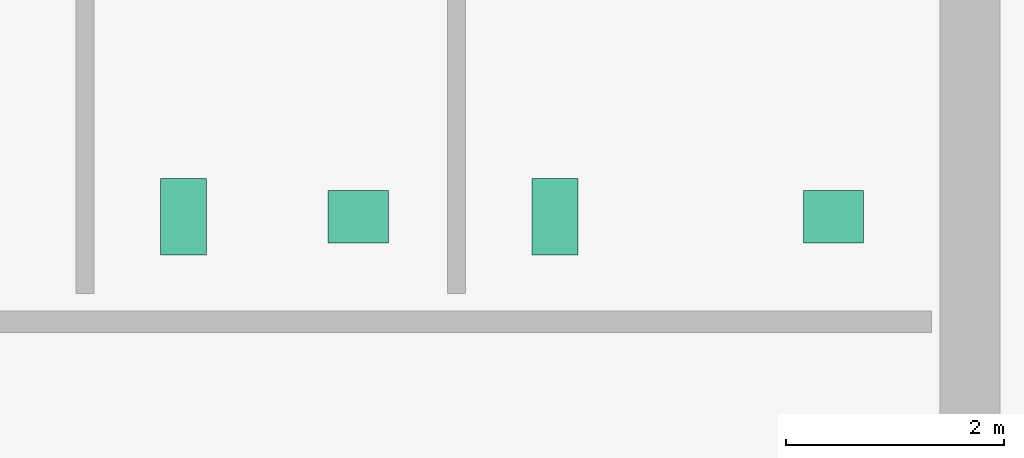
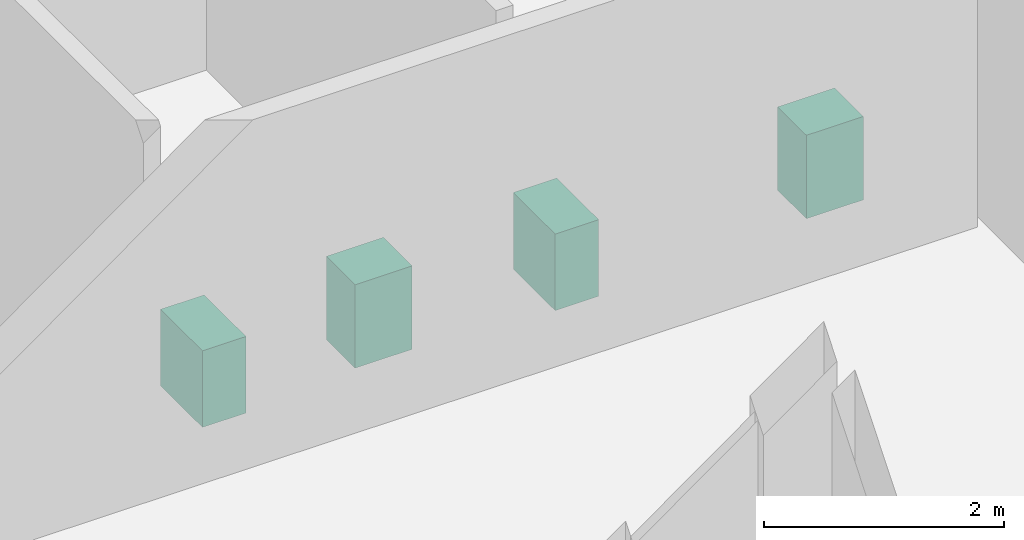
# One storey, part 10 of 10: 4 sanitary terminals.
"""IFC4 building model written with IfcOpenShell, lengths in metres."""

import ifcopenshell
import ifcopenshell.guid

model = None  # the IFC model being written
_history = None  # IfcOwnerHistory: only IFC2X3 demands one
_inside = {}  # id of a spatial element -> (the spatial element, [elements in it])
_under = {}  # id of a project, library or spatial element -> (it, [spatial elements below it])
_declared = {}  # id of a project -> (the project, [libraries it declares])
_typed = {}  # id of a type object -> (the type object, [elements of that type])
_made_of = {}  # id of a material, layer set ... -> (it, [elements and type objects made of it])


def new_model(schema):
    """Start an empty IFC model of exactly this schema.

    Asked for "IFC4X3", IfcOpenShell would pick the latest addendum, in which some entities
    have other attributes; the version numbers below select the first issue.
    IFC2X3 requires an IfcOwnerHistory on every rooted entity: one is made here for all.
    """
    global model, _history
    if schema == "IFC4X3":
        model = ifcopenshell.file(schema_version=(4, 3, 0, 0))
    else:
        model = ifcopenshell.file(schema=schema)
    _inside.clear()
    _under.clear()
    _declared.clear()
    _typed.clear()
    _made_of.clear()
    _history = None
    if model.schema == "IFC2X3":
        org = make("IfcOrganization", Name="unknown")
        user = make(
            "IfcPersonAndOrganization",
            ThePerson=make("IfcPerson", FamilyName="unknown"),
            TheOrganization=org,
        )
        app = make(
            "IfcApplication",
            ApplicationDeveloper=org,
            Version="unknown",
            ApplicationFullName="unknown",
            ApplicationIdentifier="unknown",
        )
        _history = make(
            "IfcOwnerHistory",
            OwningUser=user,
            OwningApplication=app,
            ChangeAction="ADDED",
            CreationDate=0,
        )
    return model


def make(cls, **values):
    """One entity of the class cls with the attributes given. An attribute that is None is left unset."""
    return model.create_entity(
        cls, **{name: value for name, value in values.items() if value is not None}
    )


def rooted(cls, **values):
    """An entity with a GlobalId (a new one), such as an element, a storey or a relation."""
    return make(cls, GlobalId=ifcopenshell.guid.new(), OwnerHistory=_history, **values)


def si_unit(unit_type, name, prefix=None):
    """IfcSIUnit, for example si_unit("LENGTHUNIT", "METRE", prefix="MILLI")."""
    return make("IfcSIUnit", UnitType=unit_type, Prefix=prefix, Name=name)


def assignment(units):
    """IfcUnitAssignment: the units of a project."""
    return None if units is None else make("IfcUnitAssignment", Units=units)


def point(xyz):
    """IfcCartesianPoint."""
    return None if xyz is None else make("IfcCartesianPoint", Coordinates=xyz)


def direction(xyz):
    """IfcDirection."""
    return None if xyz is None else make("IfcDirection", DirectionRatios=xyz)


def frame(location, z_axis=None, x_axis=None):
    """IfcAxis2Placement3D, a coordinate frame: its origin and axes. An axis left out is left unset."""
    return make(
        "IfcAxis2Placement3D",
        Location=point(location),
        Axis=direction(z_axis),
        RefDirection=direction(x_axis),
    )


def frame_2d(location, x_axis=None):
    """IfcAxis2Placement2D, a coordinate frame in the plane: its origin and x axis."""
    return make(
        "IfcAxis2Placement2D", Location=point(location), RefDirection=direction(x_axis)
    )


def origin():
    """The frame at (0, 0, 0) with its axes left unset."""
    return frame((0.0, 0.0, 0.0))


def origin_2d():
    """The frame at (0, 0) in the plane with its x axis left unset."""
    return frame_2d((0.0, 0.0))


def place(relative_to, where):
    """IfcLocalPlacement: puts the frame where relative to a parent placement (None: the world)."""
    return make(
        "IfcLocalPlacement", PlacementRelTo=relative_to, RelativePlacement=where
    )


def context(
    kind, dimensions, precision=None, world=None, true_north=None, identifier=None
):
    """IfcGeometricRepresentationContext, for example the 3D "Model" context."""
    return make(
        "IfcGeometricRepresentationContext",
        ContextIdentifier=identifier,
        ContextType=kind,
        CoordinateSpaceDimension=dimensions,
        Precision=precision,
        WorldCoordinateSystem=world,
        TrueNorth=true_north,
    )


def subcontext(parent, identifier, kind, view, scale=None):
    """IfcGeometricRepresentationSubContext, for example "Body" below "Model"."""
    return make(
        "IfcGeometricRepresentationSubContext",
        ContextIdentifier=identifier,
        ContextType=kind,
        ParentContext=parent,
        TargetScale=scale,
        TargetView=view,
    )


def project(units=None, contexts=None):
    """IfcProject with its units and contexts."""
    return rooted(
        "IfcProject",
        Name="project",
        RepresentationContexts=contexts,
        UnitsInContext=assignment(units),
    )


def spatial(cls, under=None, at=None, **own):
    """A site, building, storey or space (cls), placed at a placement, below another one or the project."""
    s = rooted(cls, ObjectPlacement=at, **own)
    if under is not None:
        _under.setdefault(under.id(), (under, []))[1].append(s)
    return s


def profile(cls, at=None, kind="AREA", **sizes):
    """A parametric profile (cls). Its sizes go by their IFC names, for example OverallWidth=200.0."""
    return make(cls, ProfileType=kind, Position=at, **sizes)


def rectangle(**sizes):
    """IfcRectangleProfileDef."""
    return profile("IfcRectangleProfileDef", **sizes)


def extrude(swept, where, along, depth):
    """IfcExtrudedAreaSolid: the profile swept, set in the frame where, extruded along a direction by depth."""
    return make(
        "IfcExtrudedAreaSolid",
        SweptArea=swept,
        Position=where,
        ExtrudedDirection=direction(along),
        Depth=depth,
    )


def shape(context_of_items, identifier, shape_type, items):
    """IfcShapeRepresentation: the items that make up one representation, for example the "Body"."""
    return make(
        "IfcShapeRepresentation",
        ContextOfItems=context_of_items,
        RepresentationIdentifier=identifier,
        RepresentationType=shape_type,
        Items=items,
    )


def material(Name=None, Category=None):
    """IfcMaterial."""
    return make("IfcMaterial", Name=Name, Category=Category)


def made_of(thing, what):
    """Note that an element or type object is made of a material, layer set ...; save() writes the relation."""
    if what is not None:
        _made_of.setdefault(what.id(), (what, []))[1].append(thing)
    return thing


def type_object(cls, material=None, **own):
    """A type object (cls), such as IfcWallType, which elements share."""
    return made_of(rooted(cls, **own), material)


def element(
    cls,
    number,
    at=None,
    inside=None,
    cuts=None,
    type_object=None,
    material=None,
    context=None,
    identifier="Body",
    shape_type=None,
    held_by="IfcProductDefinitionShape",
    body=None,
    shapes=None,
    **own,
):
    """One element of the class cls, such as IfcWall. Its Tag is "e" and its number.

    at: its placement. inside: the storey or other place that contains it. cuts: it is an
    opening in that element (IfcRelVoidsElement). A single representation is given by context,
    identifier, shape_type and body (its items); several are given by shapes. held_by: the class
    of the entity that holds the representations. save() writes the other relations.
    """
    e = rooted(cls, Tag="e%d" % number, ObjectPlacement=at, **own)
    if body is not None:
        shapes = [shape(context, identifier, shape_type, body)]
    if shapes is not None:
        e.Representation = make(held_by, Representations=shapes)
    if inside is not None:
        _inside.setdefault(inside.id(), (inside, []))[1].append(e)
    if cuts is not None:
        rooted(
            "IfcRelVoidsElement", RelatingBuildingElement=cuts, RelatedOpeningElement=e
        )
    if type_object is not None:
        _typed.setdefault(type_object.id(), (type_object, []))[1].append(e)
    return made_of(e, material)


def aggregate(whole, parts):
    """IfcRelAggregates: a whole, such as a stair, and the parts it consists of."""
    return rooted("IfcRelAggregates", RelatingObject=whole, RelatedObjects=parts)


def save(model, path):
    """Write the relations noted so far, then the file.

    IfcRelAggregates (storeys below a building ...), IfcRelContainedInSpatialStructure (elements
    in a storey), IfcRelDefinesByType, IfcRelAssociatesMaterial and IfcRelDeclares: one each for
    every whole, place, type object, material and project.
    """
    for whole, parts in _under.values():
        aggregate(whole, parts)
    for where, things in _inside.values():
        rooted(
            "IfcRelContainedInSpatialStructure",
            RelatedElements=things,
            RelatingStructure=where,
        )
    for kind, things in _typed.values():
        rooted("IfcRelDefinesByType", RelatedObjects=things, RelatingType=kind)
    for what, things in _made_of.values():
        rooted("IfcRelAssociatesMaterial", RelatedObjects=things, RelatingMaterial=what)
    for by, libraries in _declared.values():
        rooted("IfcRelDeclares", RelatingContext=by, RelatedDefinitions=libraries)
    model.write(path)


model = new_model("IFC4")

# Units and contexts
model_context = context("Model", 3, precision=1e-05, world=origin(), true_north=direction((0.0, 1.0)))
body_context = subcontext(model_context, "Body", "Model", "MODEL_VIEW")
ifc_project = project(units=[si_unit("LENGTHUNIT", "METRE"), si_unit("AREAUNIT", "SQUARE_METRE"), si_unit("VOLUMEUNIT", "CUBIC_METRE"), si_unit("PLANEANGLEUNIT", "RADIAN"), si_unit("MASSUNIT", "GRAM", prefix="KILO")], contexts=[model_context])

# Site, building, storey
site_placement = place(None, origin())
site = spatial("IfcSite", under=ifc_project, at=site_placement, CompositionType="ELEMENT")
building_placement = place(site_placement, origin())
building = spatial("IfcBuilding", under=site, at=building_placement, Name="Norrvale University Quadrangle", CompositionType="ELEMENT")
storey_placement = place(building_placement, frame((0.0, 0.0, 269.60009765625)))
storey = spatial("IfcBuildingStorey", under=building, at=storey_placement, Name="L68", CompositionType="ELEMENT", Elevation=269.60009765625)

# Sanitary terminals
ifc_material = material(Name="Vitreous China Sanitaryware")
sanitary_terminal_type_1 = type_object("IfcSanitaryTerminalType", Name="Sanitary Wash Basin", PredefinedType="WASHHANDBASIN", material=ifc_material)
for number, where, z_axis, x_axis, name in (
    (1, (11.199951171875, 41.10009765625, -0.000244140625), (0.0, 0.0, 1.0), (1.0, 0.0, 0.0), "Accessible Countertop Washbasin L68-1"),
    (2, (15.550048828125, 41.10009765625, -0.000244140625), (0.0, 0.0, 1.0), (1.0, 0.0, 0.0), "Accessible Countertop Washbasin L68-2"),
):
    element("IfcSanitaryTerminal", number, at=place(storey_placement, frame(where, z_axis=z_axis, x_axis=x_axis)), inside=storey, type_object=sanitary_terminal_type_1, Name=name, PredefinedType="WASHHANDBASIN", context=body_context, shape_type="SweptSolid", body=[
        extrude(rectangle(XDim=0.550048828125, YDim=0.47998046875, at=origin_2d()), origin(), (0.0, 0.0, 1.0), 0.85009765625),
    ])
sanitary_terminal_type_2 = type_object("IfcSanitaryTerminalType", Name="Sanitary Water Closet", PredefinedType="TOILETPAN", material=ifc_material)
for number, where, z_axis, x_axis, name in (
    (3, (9.60009765625, 41.10009765625, 0.0), (0.0, 0.0, 1.0), (1.0, 0.0, 0.0), "Wall-Hung Water Closet L68-1"),
    (4, (13.0, 41.10009765625, 0.0), (0.0, 0.0, 1.0), (1.0, 0.0, 0.0), "Wall-Hung Water Closet L68-2"),
):
    element("IfcSanitaryTerminal", number, at=place(storey_placement, frame(where, z_axis=z_axis, x_axis=x_axis)), inside=storey, type_object=sanitary_terminal_type_2, Name=name, PredefinedType="TOILETPAN", context=body_context, shape_type="SweptSolid", body=[
        extrude(rectangle(XDim=0.419921875, YDim=0.699951171875, at=origin_2d()), origin(), (0.0, 0.0, 1.0), 0.780029296875),
    ])

save(model, "model.ifc")
